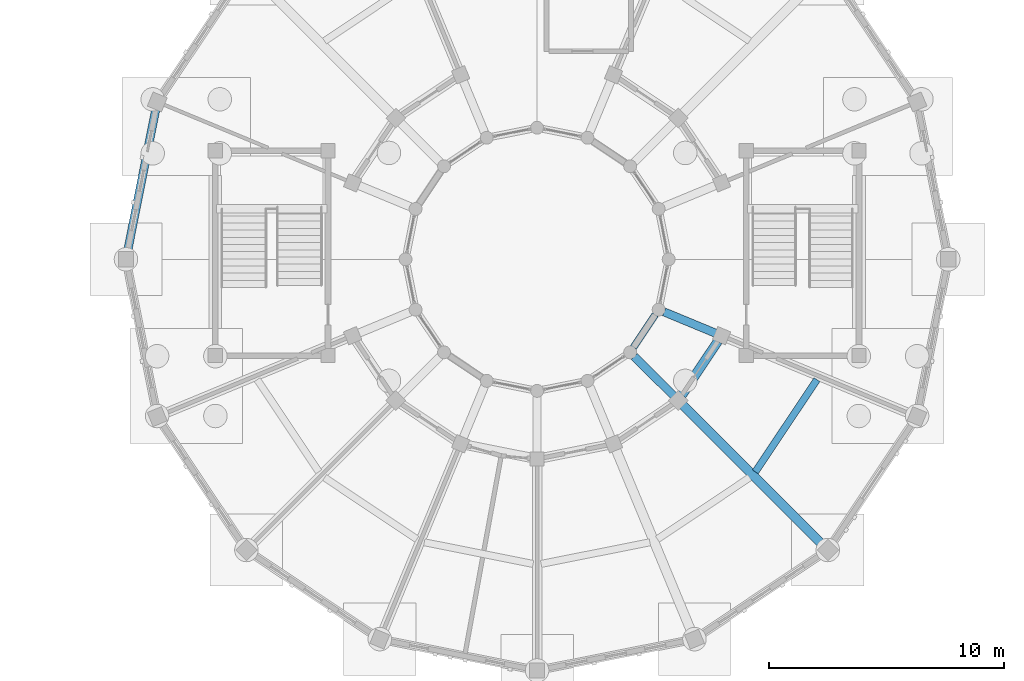
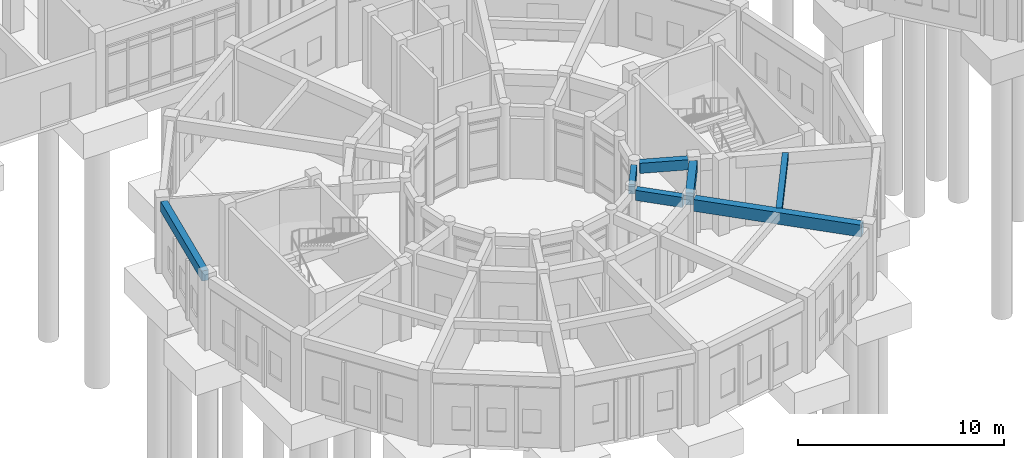
# One storey, part 19 of 153: 7 beams.
"""IFC4 building model written with IfcOpenShell, lengths in metres."""

import ifcopenshell
import ifcopenshell.guid

model = None  # the IFC model being written
_history = None  # IfcOwnerHistory: only IFC2X3 demands one
_inside = {}  # id of a spatial element -> (the spatial element, [elements in it])
_under = {}  # id of a project, library or spatial element -> (it, [spatial elements below it])
_declared = {}  # id of a project -> (the project, [libraries it declares])
_typed = {}  # id of a type object -> (the type object, [elements of that type])
_made_of = {}  # id of a material, layer set ... -> (it, [elements and type objects made of it])


def new_model(schema):
    """Start an empty IFC model of exactly this schema.

    Asked for "IFC4X3", IfcOpenShell would pick the latest addendum, in which some entities
    have other attributes; the version numbers below select the first issue.
    IFC2X3 requires an IfcOwnerHistory on every rooted entity: one is made here for all.
    """
    global model, _history
    if schema == "IFC4X3":
        model = ifcopenshell.file(schema_version=(4, 3, 0, 0))
    else:
        model = ifcopenshell.file(schema=schema)
    _inside.clear()
    _under.clear()
    _declared.clear()
    _typed.clear()
    _made_of.clear()
    _history = None
    if model.schema == "IFC2X3":
        org = make("IfcOrganization", Name="unknown")
        user = make(
            "IfcPersonAndOrganization",
            ThePerson=make("IfcPerson", FamilyName="unknown"),
            TheOrganization=org,
        )
        app = make(
            "IfcApplication",
            ApplicationDeveloper=org,
            Version="unknown",
            ApplicationFullName="unknown",
            ApplicationIdentifier="unknown",
        )
        _history = make(
            "IfcOwnerHistory",
            OwningUser=user,
            OwningApplication=app,
            ChangeAction="ADDED",
            CreationDate=0,
        )
    return model


def make(cls, **values):
    """One entity of the class cls with the attributes given. An attribute that is None is left unset."""
    return model.create_entity(
        cls, **{name: value for name, value in values.items() if value is not None}
    )


def rooted(cls, **values):
    """An entity with a GlobalId (a new one), such as an element, a storey or a relation."""
    return make(cls, GlobalId=ifcopenshell.guid.new(), OwnerHistory=_history, **values)


def si_unit(unit_type, name, prefix=None):
    """IfcSIUnit, for example si_unit("LENGTHUNIT", "METRE", prefix="MILLI")."""
    return make("IfcSIUnit", UnitType=unit_type, Prefix=prefix, Name=name)


def assignment(units):
    """IfcUnitAssignment: the units of a project."""
    return None if units is None else make("IfcUnitAssignment", Units=units)


def point(xyz):
    """IfcCartesianPoint."""
    return None if xyz is None else make("IfcCartesianPoint", Coordinates=xyz)


def direction(xyz):
    """IfcDirection."""
    return None if xyz is None else make("IfcDirection", DirectionRatios=xyz)


def frame(location, z_axis=None, x_axis=None):
    """IfcAxis2Placement3D, a coordinate frame: its origin and axes. An axis left out is left unset."""
    return make(
        "IfcAxis2Placement3D",
        Location=point(location),
        Axis=direction(z_axis),
        RefDirection=direction(x_axis),
    )


def frame_2d(location, x_axis=None):
    """IfcAxis2Placement2D, a coordinate frame in the plane: its origin and x axis."""
    return make(
        "IfcAxis2Placement2D", Location=point(location), RefDirection=direction(x_axis)
    )


def origin():
    """The frame at (0, 0, 0) with its axes left unset."""
    return frame((0.0, 0.0, 0.0))


def origin_2d():
    """The frame at (0, 0) in the plane with its x axis left unset."""
    return frame_2d((0.0, 0.0))


def place(relative_to, where):
    """IfcLocalPlacement: puts the frame where relative to a parent placement (None: the world)."""
    return make(
        "IfcLocalPlacement", PlacementRelTo=relative_to, RelativePlacement=where
    )


def context(
    kind, dimensions, precision=None, world=None, true_north=None, identifier=None
):
    """IfcGeometricRepresentationContext, for example the 3D "Model" context."""
    return make(
        "IfcGeometricRepresentationContext",
        ContextIdentifier=identifier,
        ContextType=kind,
        CoordinateSpaceDimension=dimensions,
        Precision=precision,
        WorldCoordinateSystem=world,
        TrueNorth=true_north,
    )


def subcontext(parent, identifier, kind, view, scale=None):
    """IfcGeometricRepresentationSubContext, for example "Body" below "Model"."""
    return make(
        "IfcGeometricRepresentationSubContext",
        ContextIdentifier=identifier,
        ContextType=kind,
        ParentContext=parent,
        TargetScale=scale,
        TargetView=view,
    )


def project(units=None, contexts=None):
    """IfcProject with its units and contexts."""
    return rooted(
        "IfcProject",
        Name="project",
        RepresentationContexts=contexts,
        UnitsInContext=assignment(units),
    )


def spatial(cls, under=None, at=None, **own):
    """A site, building, storey or space (cls), placed at a placement, below another one or the project."""
    s = rooted(cls, ObjectPlacement=at, **own)
    if under is not None:
        _under.setdefault(under.id(), (under, []))[1].append(s)
    return s


def profile(cls, at=None, kind="AREA", **sizes):
    """A parametric profile (cls). Its sizes go by their IFC names, for example OverallWidth=200.0."""
    return make(cls, ProfileType=kind, Position=at, **sizes)


def rectangle(**sizes):
    """IfcRectangleProfileDef."""
    return profile("IfcRectangleProfileDef", **sizes)


def extrude(swept, where, along, depth):
    """IfcExtrudedAreaSolid: the profile swept, set in the frame where, extruded along a direction by depth."""
    return make(
        "IfcExtrudedAreaSolid",
        SweptArea=swept,
        Position=where,
        ExtrudedDirection=direction(along),
        Depth=depth,
    )


def shape(context_of_items, identifier, shape_type, items):
    """IfcShapeRepresentation: the items that make up one representation, for example the "Body"."""
    return make(
        "IfcShapeRepresentation",
        ContextOfItems=context_of_items,
        RepresentationIdentifier=identifier,
        RepresentationType=shape_type,
        Items=items,
    )


def material(Name=None, Category=None):
    """IfcMaterial."""
    return make("IfcMaterial", Name=Name, Category=Category)


def material_profile(
    of_material, cross_section, Name=None, Category=None, Priority=None
):
    """IfcMaterialProfile: a cross section and its material."""
    return make(
        "IfcMaterialProfile",
        Name=Name,
        Material=of_material,
        Profile=cross_section,
        Priority=Priority,
        Category=Category,
    )


def profile_set(profiles, Name=None, composite=None):
    """IfcMaterialProfileSet."""
    return make(
        "IfcMaterialProfileSet",
        Name=Name,
        MaterialProfiles=profiles,
        CompositeProfile=composite,
    )


def made_of(thing, what):
    """Note that an element or type object is made of a material, layer set ...; save() writes the relation."""
    if what is not None:
        _made_of.setdefault(what.id(), (what, []))[1].append(thing)
    return thing


def type_object(cls, material=None, **own):
    """A type object (cls), such as IfcWallType, which elements share."""
    return made_of(rooted(cls, **own), material)


def element(
    cls,
    number,
    at=None,
    inside=None,
    cuts=None,
    type_object=None,
    material=None,
    context=None,
    identifier="Body",
    shape_type=None,
    held_by="IfcProductDefinitionShape",
    body=None,
    shapes=None,
    **own,
):
    """One element of the class cls, such as IfcWall. Its Tag is "e" and its number.

    at: its placement. inside: the storey or other place that contains it. cuts: it is an
    opening in that element (IfcRelVoidsElement). A single representation is given by context,
    identifier, shape_type and body (its items); several are given by shapes. held_by: the class
    of the entity that holds the representations. save() writes the other relations.
    """
    e = rooted(cls, Tag="e%d" % number, ObjectPlacement=at, **own)
    if body is not None:
        shapes = [shape(context, identifier, shape_type, body)]
    if shapes is not None:
        e.Representation = make(held_by, Representations=shapes)
    if inside is not None:
        _inside.setdefault(inside.id(), (inside, []))[1].append(e)
    if cuts is not None:
        rooted(
            "IfcRelVoidsElement", RelatingBuildingElement=cuts, RelatedOpeningElement=e
        )
    if type_object is not None:
        _typed.setdefault(type_object.id(), (type_object, []))[1].append(e)
    return made_of(e, material)


def aggregate(whole, parts):
    """IfcRelAggregates: a whole, such as a stair, and the parts it consists of."""
    return rooted("IfcRelAggregates", RelatingObject=whole, RelatedObjects=parts)


def save(model, path):
    """Write the relations noted so far, then the file.

    IfcRelAggregates (storeys below a building ...), IfcRelContainedInSpatialStructure (elements
    in a storey), IfcRelDefinesByType, IfcRelAssociatesMaterial and IfcRelDeclares: one each for
    every whole, place, type object, material and project.
    """
    for whole, parts in _under.values():
        aggregate(whole, parts)
    for where, things in _inside.values():
        rooted(
            "IfcRelContainedInSpatialStructure",
            RelatedElements=things,
            RelatingStructure=where,
        )
    for kind, things in _typed.values():
        rooted("IfcRelDefinesByType", RelatedObjects=things, RelatingType=kind)
    for what, things in _made_of.values():
        rooted("IfcRelAssociatesMaterial", RelatedObjects=things, RelatingMaterial=what)
    for by, libraries in _declared.values():
        rooted("IfcRelDeclares", RelatingContext=by, RelatedDefinitions=libraries)
    model.write(path)


model = new_model("IFC4")

# Units and contexts
model_context = context("Model", 3, precision=1e-05, world=origin(), true_north=direction((0.0, 1.0)))
body_context = subcontext(model_context, "Body", "Model", "MODEL_VIEW")
ifc_project = project(units=[si_unit("LENGTHUNIT", "METRE"), si_unit("AREAUNIT", "SQUARE_METRE"), si_unit("VOLUMEUNIT", "CUBIC_METRE"), si_unit("PLANEANGLEUNIT", "RADIAN"), si_unit("MASSUNIT", "GRAM", prefix="KILO")], contexts=[model_context])

# Site, building, storey
site_placement = place(None, origin())
site = spatial("IfcSite", under=ifc_project, at=site_placement, CompositionType="ELEMENT")
building_placement = place(site_placement, origin())
building = spatial("IfcBuilding", under=site, at=building_placement, Name="Celadon Cloister-Ring School", CompositionType="ELEMENT")
storey_placement = place(building_placement, origin())
storey = spatial("IfcBuildingStorey", under=building, at=storey_placement, Name="L00", CompositionType="ELEMENT", Elevation=0.0)

# Beams
ifc_material_1 = material(Name="Concrete C35/45", Category="concrete")
ifc_material_profile_1 = material_profile(ifc_material_1, rectangle(XDim=0.35009765625, YDim=0.60009765625, at=origin_2d()), Name="RC350X600")
ifc_profile_set_1 = profile_set([ifc_material_profile_1], Name="Concrete C35/45")
beam_type_1 = type_object("IfcBeamType", Name="BT-02", PredefinedType="BEAM", material=ifc_profile_set_1)
beam_1_placement = place(storey_placement, frame((26.01611328125, 14.18408203125, 3.9599609375), z_axis=(-0.707158186572, 0.707055372064, 0.0), x_axis=(-0.707055372064, -0.707158186572, 0.0)))
element("IfcBeam", 1, at=beam_1_placement, inside=storey, type_object=beam_type_1, Name="Beam 0871", PredefinedType="BEAM", context=body_context, shape_type="SweptSolid", body=[
    extrude(rectangle(XDim=0.35009765625, YDim=0.60009765625, at=origin_2d()), origin(), (0.0, 0.0, 1.0), 2.37451171875),
])
beam_2_placement = place(storey_placement, frame((27.799072265625, 16.85205078125, 3.9599609375), z_axis=(-0.923862714127, 0.382724033014, 0.0), x_axis=(-0.382724033014, -0.923862714127, 0.0)))
element("IfcBeam", 2, at=beam_2_placement, inside=storey, type_object=beam_type_1, Name="Beam 0873", PredefinedType="BEAM", context=body_context, shape_type="SweptSolid", body=[
    extrude(rectangle(XDim=0.35009765625, YDim=0.60009765625, at=origin_2d()), origin(), (0.0, 0.0, 1.0), 2.375),
])
ifc_material_2 = material(Name="Concrete C35/45", Category="concrete")
ifc_material_profile_2 = material_profile(ifc_material_2, rectangle(XDim=0.39990234375, YDim=0.699951171875, at=origin_2d()), Name="RC400X700")
ifc_profile_set_2 = profile_set([ifc_material_profile_2], Name="Concrete C35/45")
beam_type_2 = type_object("IfcBeamType", Name="GT-03", PredefinedType="USERDEFINED", material=ifc_profile_set_2)
beam_3_placement = place(storey_placement, frame((32.362060546875, 7.837890625, 3.909912109375), z_axis=(-0.707106781187, 0.707106781187, 0.0), x_axis=(-0.707106781187, -0.707106781187, 0.0)))
element("IfcBeam", 3, at=beam_3_placement, inside=storey, type_object=beam_type_2, Name="Beam 0870", ObjectType="GIRDER", PredefinedType="USERDEFINED", context=body_context, shape_type="SweptSolid", body=[
    extrude(rectangle(XDim=0.39990234375, YDim=0.699951171875, at=origin_2d()), origin(), (0.0, 0.0, 1.0), 8.42578125),
])
beam_4_placement = place(storey_placement, frame((26.363037109375, 14.218994140625, 3.909912109375), z_axis=(0.555738781682, 0.831356966973, 0.0), x_axis=(-0.831356966973, 0.555738781682, 0.0)))
element("IfcBeam", 4, at=beam_4_placement, inside=storey, type_object=beam_type_2, Name="Beam 0919", ObjectType="GIRDER", PredefinedType="USERDEFINED", context=body_context, shape_type="SweptSolid", body=[
    extrude(rectangle(XDim=0.39990234375, YDim=0.699951171875, at=origin_2d()), origin(), (0.0, 0.0, 1.0), 2.765380859375),
])
ifc_material_3 = material(Name="Concrete C35/45", Category="concrete")
ifc_material_profile_3 = material_profile(ifc_material_3, rectangle(XDim=0.300048828125, YDim=0.449951171875, at=origin_2d()), Name="RC300X450")
ifc_profile_set_3 = profile_set([ifc_material_profile_3], Name="Concrete C35/45")
beam_type_3 = type_object("IfcBeamType", Name="JT-01", PredefinedType="JOIST", material=ifc_profile_set_3)
beam_5_placement = place(storey_placement, frame((29.489013671875, 10.9541015625, 4.034912109375), z_axis=(0.555797592992, 0.831317650254, 0.0), x_axis=(-0.831317650254, 0.555797592992, 0.0)))
element("IfcBeam", 5, at=beam_5_placement, inside=storey, type_object=beam_type_3, Name="Beam 0921", PredefinedType="JOIST", context=body_context, shape_type="SweptSolid", body=[
    extrude(rectangle(XDim=0.300048828125, YDim=0.449951171875, at=origin_2d()), origin(), (0.0, 0.0, 1.0), 4.72119140625),
])
ifc_material_4 = material(Name="Concrete C35/45", Category="concrete")
ifc_material_profile_4 = material_profile(ifc_material_4, rectangle(XDim=0.35009765625, YDim=0.60009765625, at=origin_2d()), Name="RC350X600")
ifc_profile_set_4 = profile_set([ifc_material_profile_4], Name="Concrete C35/45")
beam_type_4 = type_object("IfcBeamType", Name="SP-01", PredefinedType="SPANDREL", material=ifc_profile_set_4)
beam_6_placement = place(storey_placement, frame((3.972900390625, 26.403076171875, 3.9599609375), z_axis=(-0.194887307107, -0.980825640738, 0.0), x_axis=(0.980825640738, -0.194887307107, 0.0)))
element("IfcBeam", 6, at=beam_6_placement, inside=storey, type_object=beam_type_4, Name="Beam 0894", PredefinedType="SPANDREL", context=body_context, shape_type="SweptSolid", body=[
    extrude(rectangle(XDim=0.35009765625, YDim=0.60009765625, at=origin_2d()), origin(), (0.0, 0.0, 1.0), 6.228515625),
])
ifc_material_5 = material(Name="Concrete C35/45", Category="concrete")
ifc_material_profile_5 = material_profile(ifc_material_5, rectangle(XDim=0.300048828125, YDim=0.550048828125, at=origin_2d()), Name="RC300X550")
ifc_profile_set_5 = profile_set([ifc_material_profile_5], Name="Concrete C35/45")
beam_type_5 = type_object("IfcBeamType", Name="SP-02", PredefinedType="SPANDREL", material=ifc_profile_set_5)
beam_7_placement = place(storey_placement, frame((24.299072265625, 16.248046875, 3.985107421875), z_axis=(0.555569328961, 0.831470216374, 0.0), x_axis=(-0.831470216374, 0.555569328961, 0.0)))
element("IfcBeam", 7, at=beam_7_placement, inside=storey, type_object=beam_type_5, Name="Beam 0920", PredefinedType="SPANDREL", context=body_context, shape_type="SweptSolid", body=[
    extrude(rectangle(XDim=0.300048828125, YDim=0.550048828125, at=origin_2d()), origin(), (0.0, 0.0, 1.0), 1.684814453125),
])

save(model, "model.ifc")
